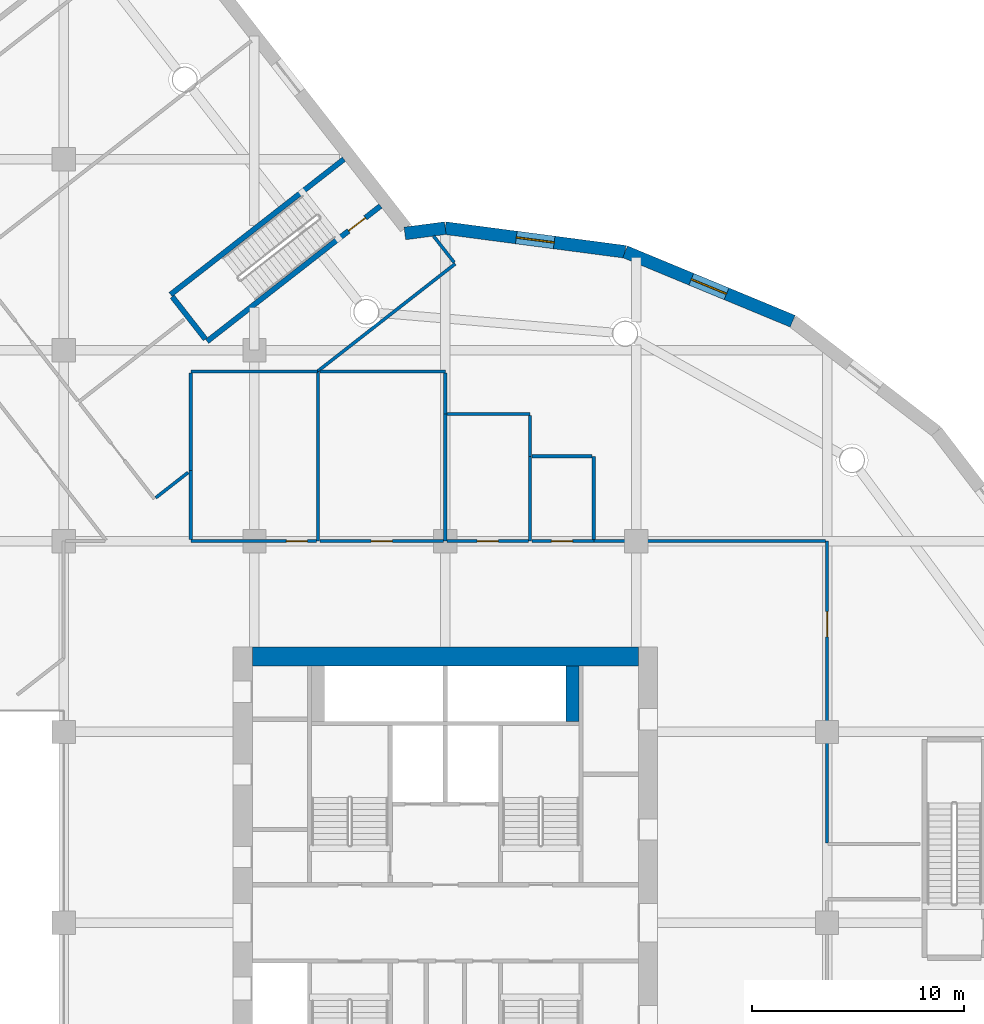
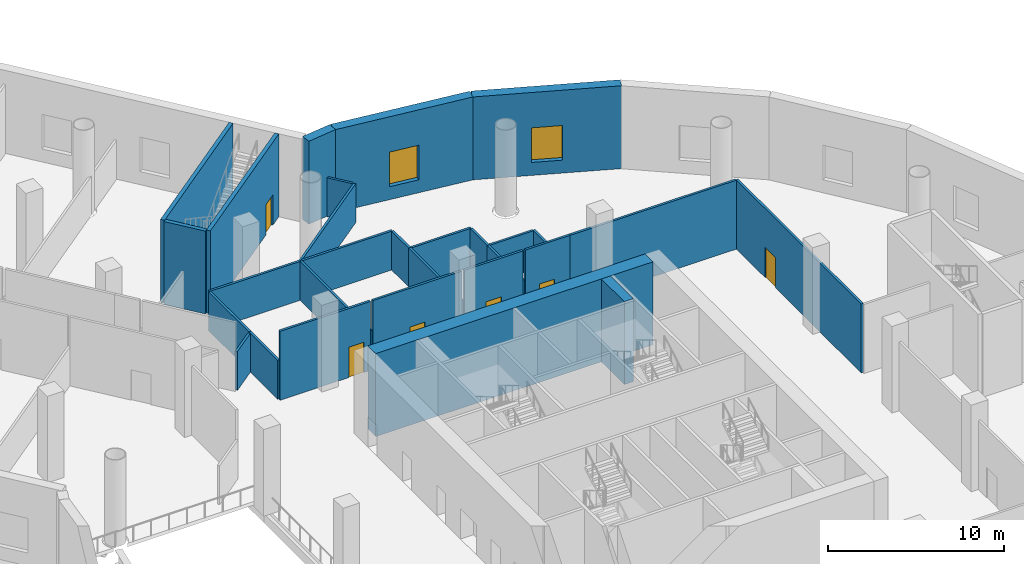
# One storey, part 9 of 24: 29 walls, 6 doors, 2 windows, 8 openings.
"""IFC4 building model written with IfcOpenShell, lengths in metres."""

from ifc_helpers import new_model, si_unit, direction, frame, frame_2d, origin, place, context, subcontext, project, spatial, rectangle, extrude, material, layer, layer_set, type_object, element, fill, save


model = new_model("IFC4")

# Units and contexts
model_context = context("Model", 3, precision=1e-05, world=origin(), true_north=direction((0.0, 1.0)))
body_context = subcontext(model_context, "Body", "Model", "MODEL_VIEW")
ifc_project = project(units=[si_unit("LENGTHUNIT", "METRE"), si_unit("AREAUNIT", "SQUARE_METRE"), si_unit("VOLUMEUNIT", "CUBIC_METRE"), si_unit("PLANEANGLEUNIT", "RADIAN"), si_unit("MASSUNIT", "GRAM", prefix="KILO")], contexts=[model_context])

# Site, building, storey
site_placement = place(None, origin())
site = spatial("IfcSite", under=ifc_project, at=site_placement, CompositionType="ELEMENT")
building_placement = place(site_placement, origin())
building = spatial("IfcBuilding", under=site, at=building_placement, Name="Tarsis Ring Headquarters", CompositionType="ELEMENT")
storey_placement = place(building_placement, frame((0.0, 0.0, 8.0)))
storey = spatial("IfcBuildingStorey", under=building, at=storey_placement, Name="L01", CompositionType="ELEMENT", Elevation=8.0)

# Walls
ifc_material_1 = material(Name="Concrete C60/75", Category="concrete")
ifc_layer_1 = layer(ifc_material_1, 0.89990234375)
ifc_layer_set_1 = layer_set([ifc_layer_1], Name="Core wall 900 C60/75")
wall_type_1 = type_object("IfcWallType", Name="Core wall 900 C60/75", PredefinedType="SHEAR", material=ifc_layer_set_1)
wall_1_placement = place(storey_placement, frame((-9.10009765625, 12.550048828125, 0.0), z_axis=(0.0, 0.0, 1.0), x_axis=(1.0, 0.0, 0.0)))
element("IfcWall", 1, at=wall_1_placement, inside=storey, type_object=wall_type_1, Name="Core wall ON", PredefinedType="SHEAR", context=body_context, shape_type="SweptSolid", body=[
    extrude(rectangle(XDim=18.2001953125, YDim=0.89990234375, at=frame_2d((9.10009765625, 0.0))), origin(), (0.0, 0.0, 1.0), 5.75),
])
ifc_material_2 = material(Name="Plasterboard partition")
ifc_layer_2 = layer(ifc_material_2, 0.14990234375)
ifc_layer_set_2 = layer_set([ifc_layer_2], Name="PO-PW150")
wall_type_2 = type_object("IfcWallType", Name="PO-PW150", PredefinedType="PARTITIONING", material=ifc_layer_set_2)
wall_2_placement = place(storey_placement, frame((0.468017578125, 31.07568359375, 0.0), z_axis=(0.0, 0.0, 1.0), x_axis=(-0.788022128977, -0.615646915239, 0.0)))
element("IfcWall", 2, at=wall_2_placement, inside=storey, type_object=wall_type_2, Name="L01 partition wall 29", PredefinedType="PARTITIONING", context=body_context, shape_type="SweptSolid", body=[
    extrude(rectangle(XDim=8.244384765625, YDim=0.14990234375, at=frame_2d((4.1220703125, 0.0))), origin(), (0.0, 0.0, 1.0), 2.699951171875),
])
wall_3_placement = place(storey_placement, frame((-6.0, 18.0, 0.0), z_axis=(0.0, 0.0, 1.0), x_axis=(0.0, 1.0, 0.0)))
element("IfcWall", 3, at=wall_3_placement, inside=storey, type_object=wall_type_2, Name="L01 partition wall 30", PredefinedType="PARTITIONING", context=body_context, shape_type="SweptSolid", body=[
    extrude(rectangle(XDim=8.0, YDim=0.14990234375, at=frame_2d((4.0, 0.0))), origin(), (0.0, 0.0, 1.0), 2.699951171875),
])
wall_4_placement = place(storey_placement, frame((0.0, 18.0, 0.0), z_axis=(0.0, 0.0, 1.0), x_axis=(0.0, 1.0, 0.0)))
element("IfcWall", 4, at=wall_4_placement, inside=storey, type_object=wall_type_2, Name="L01 partition wall 47", PredefinedType="PARTITIONING", context=body_context, shape_type="SweptSolid", body=[
    extrude(rectangle(XDim=6.0, YDim=0.14990234375, at=frame_2d((3.0, 0.0))), origin(), (0.0, 0.0, 1.0), 2.699951171875),
])
wall_5_placement = place(storey_placement, frame((-0.001953125, 26.0, 0.0), z_axis=(0.0, 0.0, 1.0), x_axis=(-1.0, 0.0, 0.0)))
element("IfcWall", 5, at=wall_5_placement, inside=storey, type_object=wall_type_2, Name="L01 partition wall 48", PredefinedType="PARTITIONING", context=body_context, shape_type="SweptSolid", body=[
    extrude(rectangle(XDim=5.91796875, YDim=0.14990234375, at=frame_2d((2.958984375, 0.0))), origin(), (0.0, 0.0, 1.0), 2.699951171875),
])
wall_6_placement = place(storey_placement, frame((-6.02880859375, 26.0, 0.0), z_axis=(0.0, 0.0, 1.0), x_axis=(-1.0, 0.0, 0.0)))
element("IfcWall", 6, at=wall_6_placement, inside=storey, type_object=wall_type_2, Name="L01 partition wall 49", PredefinedType="PARTITIONING", context=body_context, shape_type="SweptSolid", body=[
    extrude(rectangle(XDim=5.97119140625, YDim=0.14990234375, at=frame_2d((2.985595703125, 0.0))), origin(), (0.0, 0.0, 1.0), 2.699951171875),
])
wall_7_placement = place(storey_placement, frame((-12.0, 25.919921875, 0.0), z_axis=(0.0, 0.0, 1.0), x_axis=(0.0, -1.0, 0.0)))
element("IfcWall", 7, at=wall_7_placement, inside=storey, type_object=wall_type_2, Name="L01 partition wall 59", PredefinedType="PARTITIONING", context=body_context, shape_type="SweptSolid", body=[
    extrude(rectangle(XDim=4.585205078125, YDim=0.14990234375, at=frame_2d((2.29248046875, 0.0))), origin(), (0.0, 0.0, 1.0), 2.699951171875),
])
wall_8_placement = place(storey_placement, frame((4.0, 18.0, 0.0), z_axis=(0.0, 0.0, 1.0), x_axis=(0.0, 1.0, 0.0)))
element("IfcWall", 8, at=wall_8_placement, inside=storey, type_object=wall_type_2, Name="L01 partition wall 64", PredefinedType="PARTITIONING", context=body_context, shape_type="SweptSolid", body=[
    extrude(rectangle(XDim=4.0, YDim=0.14990234375, at=frame_2d((2.0, 0.0))), origin(), (0.0, 0.0, 1.0), 2.699951171875),
])
for number, where, z_axis, x_axis, name in (
    (9, (4.0, 24.0, 0.0), (0.0, 0.0, 1.0), (-1.0, 0.0, 0.0), "L01 partition wall 65"),
    (10, (7.0, 18.080078125, 0.0), (0.0, 0.0, 1.0), (0.0, 1.0, 0.0), "L01 partition wall 66"),
):
    element("IfcWall", number, at=place(storey_placement, frame(where, z_axis=z_axis, x_axis=x_axis)), inside=storey, type_object=wall_type_2, Name=name, PredefinedType="PARTITIONING", context=body_context, shape_type="SweptSolid", body=[
        extrude(rectangle(XDim=3.919921875, YDim=0.14990234375, at=frame_2d((1.9599609375, 0.0))), origin(), (0.0, 0.0, 1.0), 2.699951171875),
    ])
wall_9_placement = place(storey_placement, frame((-12.0, 21.334716796875, 0.0), z_axis=(0.0, 0.0, 1.0), x_axis=(0.0, -1.0, 0.0)))
element("IfcWall", 11, at=wall_9_placement, inside=storey, type_object=wall_type_2, Name="L01 partition wall 68", PredefinedType="PARTITIONING", context=body_context, shape_type="SweptSolid", body=[
    extrude(rectangle(XDim=3.254638671875, YDim=0.14990234375, at=frame_2d((1.62744140625, 0.0))), origin(), (0.0, 0.0, 1.0), 2.699951171875),
])
wall_10_placement = place(storey_placement, frame((6.919921875, 22.0, 0.0), z_axis=(0.0, 0.0, 1.0), x_axis=(-1.0, 0.0, 0.0)))
element("IfcWall", 12, at=wall_10_placement, inside=storey, type_object=wall_type_2, Name="L01 partition wall 73", PredefinedType="PARTITIONING", context=body_context, shape_type="SweptSolid", body=[
    extrude(rectangle(XDim=2.83984375, YDim=0.14990234375, at=frame_2d((1.419921875, 0.0))), origin(), (0.0, 0.0, 1.0), 2.699951171875),
])
wall_11_placement = place(storey_placement, frame((-13.654052734375, 20.042724609375, 0.0), z_axis=(0.0, 0.0, 1.0), x_axis=(0.788075911177, 0.615578068341, 0.0)))
element("IfcWall", 13, at=wall_11_placement, inside=storey, type_object=wall_type_2, Name="L01 partition wall 88", PredefinedType="PARTITIONING", context=body_context, shape_type="SweptSolid", body=[
    extrude(rectangle(XDim=1.93896484375, YDim=0.14990234375, at=frame_2d((0.969482421875, 0.0))), origin(), (0.0, 0.0, 1.0), 2.699951171875),
])
wall_12_placement = place(storey_placement, frame((4.0, 22.0, 0.0), z_axis=(0.0, 0.0, 1.0), x_axis=(0.0, 1.0, 0.0)))
element("IfcWall", 14, at=wall_12_placement, inside=storey, type_object=wall_type_2, Name="L01 partition wall 91", PredefinedType="PARTITIONING", context=body_context, shape_type="SweptSolid", body=[
    extrude(rectangle(XDim=1.919921875, YDim=0.14990234375, at=frame_2d((0.9599609375, 0.0))), origin(), (0.0, 0.0, 1.0), 2.699951171875),
])
wall_13_placement = place(storey_placement, frame((0.0, 24.001953125, 0.0), z_axis=(0.0, 0.0, 1.0), x_axis=(0.0, 1.0, 0.0)))
element("IfcWall", 15, at=wall_13_placement, inside=storey, type_object=wall_type_2, Name="L01 partition wall 92", PredefinedType="PARTITIONING", context=body_context, shape_type="SweptSolid", body=[
    extrude(rectangle(XDim=1.916015625, YDim=0.14990234375, at=frame_2d((0.9580078125, 0.0))), origin(), (0.0, 0.0, 1.0), 2.699951171875),
])
wall_14_placement = place(storey_placement, frame((0.41796875, 31.13818359375, 0.0), z_axis=(0.0, 0.0, 1.0), x_axis=(-0.615620034577, 0.788043128913, 0.0)))
element("IfcWall", 16, at=wall_14_placement, inside=storey, type_object=wall_type_2, Name="L01 partition wall 99", PredefinedType="PARTITIONING", context=body_context, shape_type="SweptSolid", body=[
    extrude(rectangle(XDim=1.578857421875, YDim=0.14990234375, at=frame_2d((0.78955078125, 0.0))), origin(), (0.0, 0.0, 1.0), 2.699951171875),
])

# Wall, opening, door
ifc_layer_3 = layer(ifc_material_2, 0.14990234375)
ifc_layer_set_3 = layer_set([ifc_layer_3], Name="PO-PW150R-4783")
wall_type_3 = type_object("IfcWallType", Name="PO-PW150R-4783", PredefinedType="PARTITIONING", material=ifc_layer_set_3)
wall_15_placement = place(storey_placement, frame((18.001953125, 18.0, 0.0), z_axis=(0.0, 0.0, 1.0), x_axis=(0.0, -1.0, 0.0)))
wall_15 = element("IfcWall", 17, at=wall_15_placement, inside=storey, type_object=wall_type_3, Name="L01 partition wall 7", PredefinedType="PARTITIONING", context=body_context, shape_type="SweptSolid", body=[
    extrude(rectangle(XDim=14.22998046875, YDim=0.14990234375, at=frame_2d((7.114990234375, 0.0))), origin(), (0.0, 0.0, 1.0), 4.782958984375),
])
opening_1_placement = place(wall_15_placement, frame((3.32080078125, 0.0, 0.0)))
opening_1 = element("IfcOpeningElement", 18, at=opening_1_placement, cuts=wall_15, Name="Opening PO-D2", PredefinedType="OPENING", context=body_context, shape_type="SweptSolid", body=[
    extrude(rectangle(XDim=1.199951171875, YDim=2.10009765625, at=frame_2d((0.60009765625, 1.050048828125))), frame((0.0, 0.0849609375, 0.0), z_axis=(0.0, -1.0, 0.0), x_axis=(1.0, 0.0, 0.0)), (0.0, 0.0, 1.0), 0.169921875),
])
ifc_material_3 = material(Name="Timber door", Category="wood")
door_type_1 = type_object("IfcDoorType", Name="PO-D1200", OperationType="NOTDEFINED", PredefinedType="DOOR", material=ifc_material_3)
door_1_placement = place(opening_1_placement, origin())
door_1 = element("IfcDoor", 19, at=door_1_placement, inside=storey, type_object=door_type_1, Name="Executive dining room door", OperationType="SINGLE_SWING_RIGHT", OverallHeight=2.10009765625, OverallWidth=1.199951171875, PredefinedType="DOOR", context=body_context, shape_type="SweptSolid", body=[
    extrude(rectangle(XDim=1.199951171875, YDim=2.10009765625, at=frame_2d((0.60009765625, 1.050048828125))), frame((0.0, 0.02490234375, 0.0), z_axis=(0.0, -1.0, 0.0), x_axis=(1.0, 0.0, 0.0)), (0.0, 0.0, 1.0), 0.050048828125),
])
fill(opening_1, door_1)

# Wall
wall_16_placement = place(storey_placement, frame((7.001953125, 18.001953125, 0.0), z_axis=(0.0, 0.0, 1.0), x_axis=(1.0, 0.0, 0.0)))
element("IfcWall", 20, at=wall_16_placement, inside=storey, type_object=wall_type_3, Name="L01 partition wall 12", PredefinedType="PARTITIONING", context=body_context, shape_type="SweptSolid", body=[
    extrude(rectangle(XDim=10.91796875, YDim=0.14990234375, at=frame_2d((5.458984375, 0.0))), origin(), (0.0, 0.0, 1.0), 4.782958984375),
])

# Wall, opening, door
wall_17_placement = place(storey_placement, frame((-12.0, 18.0, 0.0), z_axis=(0.0, 0.0, 1.0), x_axis=(1.0, 0.0, 0.0)))
wall_17 = element("IfcWall", 21, at=wall_17_placement, inside=storey, type_object=wall_type_3, Name="L01 partition wall 45", PredefinedType="PARTITIONING", context=body_context, shape_type="SweptSolid", body=[
    extrude(rectangle(XDim=5.919921875, YDim=0.14990234375, at=frame_2d((2.9599609375, 0.0))), origin(), (0.0, 0.0, 1.0), 4.782958984375),
])
opening_2_placement = place(wall_17_placement, frame((4.5, 0.0, 0.0)))
opening_2 = element("IfcOpeningElement", 22, at=opening_2_placement, cuts=wall_17, Name="Opening PO-D1", PredefinedType="OPENING", context=body_context, shape_type="SweptSolid", body=[
    extrude(rectangle(XDim=1.0, YDim=2.10009765625, at=frame_2d((0.5, 1.050048828125))), frame((0.0, 0.0849609375, 0.0), z_axis=(0.0, -1.0, 0.0), x_axis=(1.0, 0.0, 0.0)), (0.0, 0.0, 1.0), 0.169921875),
])
door_type_2 = type_object("IfcDoorType", Name="PO-D1000", OperationType="NOTDEFINED", PredefinedType="DOOR", material=ifc_material_3)
door_2_placement = place(opening_2_placement, origin())
door_2 = element("IfcDoor", 23, at=door_2_placement, inside=storey, type_object=door_type_2, Name="Male WC door", OperationType="SINGLE_SWING_RIGHT", OverallHeight=2.10009765625, OverallWidth=1.0, PredefinedType="DOOR", context=body_context, shape_type="SweptSolid", body=[
    extrude(rectangle(XDim=1.0, YDim=2.10009765625, at=frame_2d((0.5, 1.050048828125))), frame((0.0, 0.02490234375, 0.0), z_axis=(0.0, -1.0, 0.0), x_axis=(1.0, 0.0, 0.0)), (0.0, 0.0, 1.0), 0.050048828125),
])
fill(opening_2, door_2)

wall_18_placement = place(storey_placement, frame((-5.919921875, 18.0, 0.0), z_axis=(0.0, 0.0, 1.0), x_axis=(1.0, 0.0, 0.0)))
wall_18 = element("IfcWall", 24, at=wall_18_placement, inside=storey, type_object=wall_type_3, Name="L01 partition wall 46", PredefinedType="PARTITIONING", context=body_context, shape_type="SweptSolid", body=[
    extrude(rectangle(XDim=5.83984375, YDim=0.14990234375, at=frame_2d((2.919921875, 0.0))), origin(), (0.0, 0.0, 1.0), 4.782958984375),
])
opening_3_placement = place(wall_18_placement, frame((2.419921875, 0.0, 0.0)))
opening_3 = element("IfcOpeningElement", 25, at=opening_3_placement, cuts=wall_18, Name="Opening PO-D1", PredefinedType="OPENING", context=body_context, shape_type="SweptSolid", body=[
    extrude(rectangle(XDim=1.0, YDim=2.10009765625, at=frame_2d((0.5, 1.050048828125))), frame((0.0, 0.0849609375, 0.0), z_axis=(0.0, -1.0, 0.0), x_axis=(1.0, 0.0, 0.0)), (0.0, 0.0, 1.0), 0.169921875),
])
door_3_placement = place(opening_3_placement, origin())
door_3 = element("IfcDoor", 26, at=door_3_placement, inside=storey, type_object=door_type_2, Name="Female WC door", OperationType="SINGLE_SWING_LEFT", OverallHeight=2.10009765625, OverallWidth=1.0, PredefinedType="DOOR", context=body_context, shape_type="SweptSolid", body=[
    extrude(rectangle(XDim=1.0, YDim=2.10009765625, at=frame_2d((0.5, 1.050048828125))), frame((0.0, 0.02490234375, 0.0), z_axis=(0.0, -1.0, 0.0), x_axis=(1.0, 0.0, 0.0)), (0.0, 0.0, 1.0), 0.050048828125),
])
fill(opening_3, door_3)

wall_19_placement = place(storey_placement, frame((0.080078125, 18.0, 0.0), z_axis=(0.0, 0.0, 1.0), x_axis=(1.0, 0.0, 0.0)))
wall_19 = element("IfcWall", 27, at=wall_19_placement, inside=storey, type_object=wall_type_3, Name="L01 partition wall 63", PredefinedType="PARTITIONING", context=body_context, shape_type="SweptSolid", body=[
    extrude(rectangle(XDim=3.83984375, YDim=0.14990234375, at=frame_2d((1.919921875, 0.0))), origin(), (0.0, 0.0, 1.0), 4.782958984375),
])
opening_4_placement = place(wall_19_placement, frame((1.419921875, 0.0, 0.0)))
opening_4 = element("IfcOpeningElement", 28, at=opening_4_placement, cuts=wall_19, Name="Opening PO-D1", PredefinedType="OPENING", context=body_context, shape_type="SweptSolid", body=[
    extrude(rectangle(XDim=1.0, YDim=2.10009765625, at=frame_2d((0.5, 1.050048828125))), frame((0.0, 0.0849609375, 0.0), z_axis=(0.0, -1.0, 0.0), x_axis=(1.0, 0.0, 0.0)), (0.0, 0.0, 1.0), 0.169921875),
])
door_4_placement = place(opening_4_placement, origin())
door_4 = element("IfcDoor", 29, at=door_4_placement, inside=storey, type_object=door_type_2, Name="Accessible WC door", OperationType="SINGLE_SWING_RIGHT", OverallHeight=2.10009765625, OverallWidth=1.0, PredefinedType="DOOR", context=body_context, shape_type="SweptSolid", body=[
    extrude(rectangle(XDim=1.0, YDim=2.10009765625, at=frame_2d((0.5, 1.050048828125))), frame((0.0, 0.02490234375, 0.0), z_axis=(0.0, -1.0, 0.0), x_axis=(1.0, 0.0, 0.0)), (0.0, 0.0, 1.0), 0.050048828125),
])
fill(opening_4, door_4)

wall_20_placement = place(storey_placement, frame((4.080078125, 18.0, 0.0), z_axis=(0.0, 0.0, 1.0), x_axis=(1.0, 0.0, 0.0)))
wall_20 = element("IfcWall", 30, at=wall_20_placement, inside=storey, type_object=wall_type_3, Name="L01 partition wall 72", PredefinedType="PARTITIONING", context=body_context, shape_type="SweptSolid", body=[
    extrude(rectangle(XDim=2.919921875, YDim=0.14990234375, at=frame_2d((1.4599609375, 0.0))), origin(), (0.0, 0.0, 1.0), 4.782958984375),
])
opening_5_placement = place(wall_20_placement, frame((0.919921875, 0.0, 0.0)))
opening_5 = element("IfcOpeningElement", 31, at=opening_5_placement, cuts=wall_20, Name="Opening PO-D1", PredefinedType="OPENING", context=body_context, shape_type="SweptSolid", body=[
    extrude(rectangle(XDim=1.0, YDim=2.10009765625, at=frame_2d((0.5, 1.050048828125))), frame((0.0, 0.0849609375, 0.0), z_axis=(0.0, -1.0, 0.0), x_axis=(1.0, 0.0, 0.0)), (0.0, 0.0, 1.0), 0.169921875),
])
door_5_placement = place(opening_5_placement, origin())
door_5 = element("IfcDoor", 32, at=door_5_placement, inside=storey, type_object=door_type_2, Name="Cleaners' store door", OperationType="SINGLE_SWING_LEFT", OverallHeight=2.10009765625, OverallWidth=1.0, PredefinedType="DOOR", context=body_context, shape_type="SweptSolid", body=[
    extrude(rectangle(XDim=1.0, YDim=2.10009765625, at=frame_2d((0.5, 1.050048828125))), frame((0.0, 0.02490234375, 0.0), z_axis=(0.0, -1.0, 0.0), x_axis=(1.0, 0.0, 0.0)), (0.0, 0.0, 1.0), 0.050048828125),
])
fill(opening_5, door_5)

ifc_material_4 = material(Name="Concrete C40/50", Category="concrete")
ifc_layer_4 = layer(ifc_material_4, 0.25)
ifc_layer_set_4 = layer_set([ifc_layer_4], Name="PO-W250")
wall_type_4 = type_object("IfcWallType", Name="PO-W250", PredefinedType="SOLIDWALL", material=ifc_layer_set_4)
wall_21_placement = place(storey_placement, frame((-3.0576171875, 33.80029296875, 0.0), z_axis=(0.0, 0.0, 1.0), x_axis=(-0.788273447376, -0.615325094696, 0.0)))
wall_21 = element("IfcWall", 33, at=wall_21_placement, inside=storey, type_object=wall_type_4, Name="L01 shaft wall 14", PredefinedType="SOLIDWALL", context=body_context, shape_type="SweptSolid", body=[
    extrude(rectangle(XDim=10.369873046875, YDim=0.25, at=frame_2d((5.18505859375, 0.0))), origin(), (0.0, 0.0, 1.0), 5.75),
])
opening_6_placement = place(wall_21_placement, frame((0.90478515625, 0.0, 0.0)))
opening_6 = element("IfcOpeningElement", 34, at=opening_6_placement, cuts=wall_21, Name="Opening PO-D3", PredefinedType="OPENING", context=body_context, shape_type="SweptSolid", body=[
    extrude(rectangle(XDim=1.0, YDim=2.10009765625, at=frame_2d((0.5, 1.050048828125))), frame((0.0, 0.135009765625, 0.0), z_axis=(0.0, -1.0, 0.0), x_axis=(1.0, 0.0, 0.0)), (0.0, 0.0, 1.0), 0.27001953125),
])
ifc_material_5 = material(Name="Steel fire door", Category="steel")
door_type_3 = type_object("IfcDoorType", Name="PO-D1000F", OperationType="SINGLE_SWING_LEFT", PredefinedType="DOOR", material=ifc_material_5)
door_6_placement = place(opening_6_placement, origin())
door_6 = element("IfcDoor", 35, at=door_6_placement, inside=storey, type_object=door_type_3, Name="Exit stair 3 door", OperationType="SINGLE_SWING_LEFT", OverallHeight=2.10009765625, OverallWidth=1.0, PredefinedType="DOOR", context=body_context, shape_type="SweptSolid", body=[
    extrude(rectangle(XDim=1.0, YDim=2.10009765625, at=frame_2d((0.5, 1.050048828125))), frame((0.0, 0.02490234375, 0.0), z_axis=(0.0, -1.0, 0.0), x_axis=(1.0, 0.0, 0.0)), (0.0, 0.0, 1.0), 0.050048828125),
])
fill(opening_6, door_6)

# Walls
wall_22_placement = place(storey_placement, frame((-12.954833984375, 29.626708984375, 0.0), z_axis=(0.0, 0.0, 1.0), x_axis=(0.788283470415, 0.615312254283, 0.0)))
element("IfcWall", 36, at=wall_22_placement, inside=storey, type_object=wall_type_4, Name="L01 shaft wall 17", PredefinedType="SOLIDWALL", context=body_context, shape_type="SweptSolid", body=[
    extrude(rectangle(XDim=10.368408203125, YDim=0.25, at=frame_2d((5.18408203125, 0.0))), origin(), (0.0, 0.0, 1.0), 5.75),
])
wall_23_placement = place(storey_placement, frame((-11.31201171875, 27.52197265625, 0.0), z_axis=(0.0, 0.0, 1.0), x_axis=(-0.615343695919, 0.788258926935, 0.0)))
element("IfcWall", 37, at=wall_23_placement, inside=storey, type_object=wall_type_4, Name="L01 shaft wall 77", PredefinedType="SOLIDWALL", context=body_context, shape_type="SweptSolid", body=[
    extrude(rectangle(XDim=2.5400390625, YDim=0.25, at=frame_2d((1.27001953125, 0.0))), origin(), (0.0, 0.0, 1.0), 5.75),
])

# Wall, opening, window
ifc_layer_5 = layer(ifc_material_1, 0.60009765625)
ifc_layer_set_5 = layer_set([ifc_layer_5], Name="PO-W600")
wall_type_5 = type_object("IfcWallType", Name="PO-W600", PredefinedType="SOLIDWALL", material=ifc_layer_set_5)
wall_24_placement = place(storey_placement, frame((16.37890625, 28.369140625, 0.0), z_axis=(0.0, 0.0, 1.0), x_axis=(-0.923883217595, 0.382674535665, 0.0)))
wall_24 = element("IfcWall", 38, at=wall_24_placement, inside=storey, type_object=wall_type_5, Name="L01 external wall 20", PredefinedType="SOLIDWALL", context=body_context, shape_type="SweptSolid", body=[
    extrude(rectangle(XDim=8.551513671875, YDim=0.60009765625, at=frame_2d((4.27587890625, 0.0))), origin(), (0.0, 0.0, 1.0), 5.75),
])
opening_7_placement = place(wall_24_placement, frame((3.375732421875, 0.0, 0.89990234375)))
opening_7 = element("IfcOpeningElement", 39, at=opening_7_placement, cuts=wall_24, Name="Opening PO-WN1", PredefinedType="OPENING", context=body_context, shape_type="SweptSolid", body=[
    extrude(rectangle(XDim=1.800048828125, YDim=2.39990234375, at=frame_2d((0.89990234375, 1.199951171875))), frame((0.0, 0.31005859375, 0.0), z_axis=(0.0, -1.0, 0.0), x_axis=(1.0, 0.0, 0.0)), (0.0, 0.0, 1.0), 0.6201171875),
])
ifc_material_6 = material(Name="Double glazing", Category="glass")
window_type = type_object("IfcWindowType", Name="PO-WN1800", PartitioningType="SINGLE_PANEL", PredefinedType="WINDOW", material=ifc_material_6)
window_1_placement = place(opening_7_placement, origin())
window_1 = element("IfcWindow", 40, at=window_1_placement, inside=storey, type_object=window_type, Name="L01 window 20.1", OverallHeight=2.39990234375, OverallWidth=1.800048828125, PartitioningType="SINGLE_PANEL", PredefinedType="WINDOW", context=body_context, shape_type="SweptSolid", body=[
    extrude(rectangle(XDim=1.800048828125, YDim=2.39990234375, at=frame_2d((0.89990234375, 1.199951171875))), frame((0.0, 0.030029296875, 0.0), z_axis=(0.0, -1.0, 0.0), x_axis=(1.0, 0.0, 0.0)), (0.0, 0.0, 1.0), 0.06005859375),
])
fill(opening_7, window_1)

wall_25_placement = place(storey_placement, frame((8.478271484375, 31.6416015625, 0.0), z_axis=(0.0, 0.0, 1.0), x_axis=(-0.991444478179, 0.130529102837, 0.0)))
wall_25 = element("IfcWall", 41, at=wall_25_placement, inside=storey, type_object=wall_type_5, Name="L01 external wall 21", PredefinedType="SOLIDWALL", context=body_context, shape_type="SweptSolid", body=[
    extrude(rectangle(XDim=8.551513671875, YDim=0.60009765625, at=frame_2d((4.27587890625, 0.0))), origin(), (0.0, 0.0, 1.0), 5.75),
])
opening_8_placement = place(wall_25_placement, frame((3.375732421875, 0.0, 0.89990234375)))
opening_8 = element("IfcOpeningElement", 42, at=opening_8_placement, cuts=wall_25, Name="Opening PO-WN1", PredefinedType="OPENING", context=body_context, shape_type="SweptSolid", body=[
    extrude(rectangle(XDim=1.800048828125, YDim=2.39990234375, at=frame_2d((0.89990234375, 1.199951171875))), frame((0.0, 0.31005859375, 0.0), z_axis=(0.0, -1.0, 0.0), x_axis=(1.0, 0.0, 0.0)), (0.0, 0.0, 1.0), 0.6201171875),
])
window_2_placement = place(opening_8_placement, origin())
window_2 = element("IfcWindow", 43, at=window_2_placement, inside=storey, type_object=window_type, Name="L01 window 21.1", OverallHeight=2.39990234375, OverallWidth=1.800048828125, PartitioningType="SINGLE_PANEL", PredefinedType="WINDOW", context=body_context, shape_type="SweptSolid", body=[
    extrude(rectangle(XDim=1.800048828125, YDim=2.39990234375, at=frame_2d((0.89990234375, 1.199951171875))), frame((0.0, 0.030029296875, 0.0), z_axis=(0.0, -1.0, 0.0), x_axis=(1.0, 0.0, 0.0)), (0.0, 0.0, 1.0), 0.06005859375),
])
fill(opening_8, window_2)

# Walls
wall_26_placement = place(storey_placement, frame((0.0, 32.7578125, 0.0), z_axis=(0.0, 0.0, 1.0), x_axis=(-0.991450406844, -0.130484063274, 0.0)))
element("IfcWall", 44, at=wall_26_placement, inside=storey, type_object=wall_type_5, Name="L01 external wall 22", PredefinedType="SOLIDWALL", context=body_context, shape_type="SweptSolid", body=[
    extrude(rectangle(XDim=1.92333984375, YDim=0.60009765625, at=frame_2d((0.961669921875, 0.0))), origin(), (0.0, 0.0, 1.0), 5.75),
])
ifc_material_7 = material(Name="Concrete C32/40", Category="concrete")
ifc_layer_6 = layer(ifc_material_7, 0.60009765625)
ifc_layer_set_6 = layer_set([ifc_layer_6], Name="Shaft end wall 600 C32/40")
wall_type_6 = type_object("IfcWallType", Name="Shaft end wall 600 C32/40", PredefinedType="SOLIDWALL", material=ifc_layer_set_6)
wall_27_placement = place(storey_placement, frame((6.0, 9.5, 0.0), z_axis=(0.0, 0.0, 1.0), x_axis=(0.0, 1.0, 0.0)))
element("IfcWall", 45, at=wall_27_placement, inside=storey, type_object=wall_type_6, Name="Core shaft wall NNE2", PredefinedType="SOLIDWALL", context=body_context, shape_type="SweptSolid", body=[
    extrude(rectangle(XDim=2.60009765625, YDim=0.60009765625, at=frame_2d((1.300048828125, 0.0))), origin(), (0.0, 0.0, 1.0), 5.75),
])

save(model, "model.ifc")
